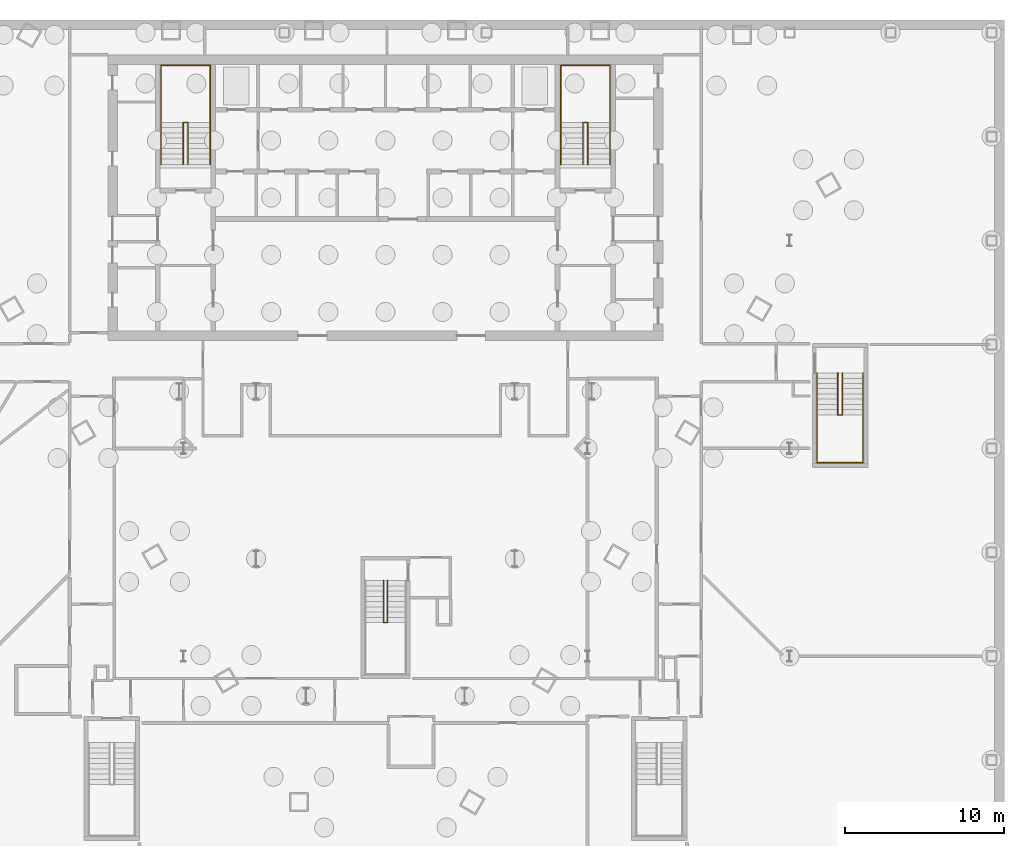
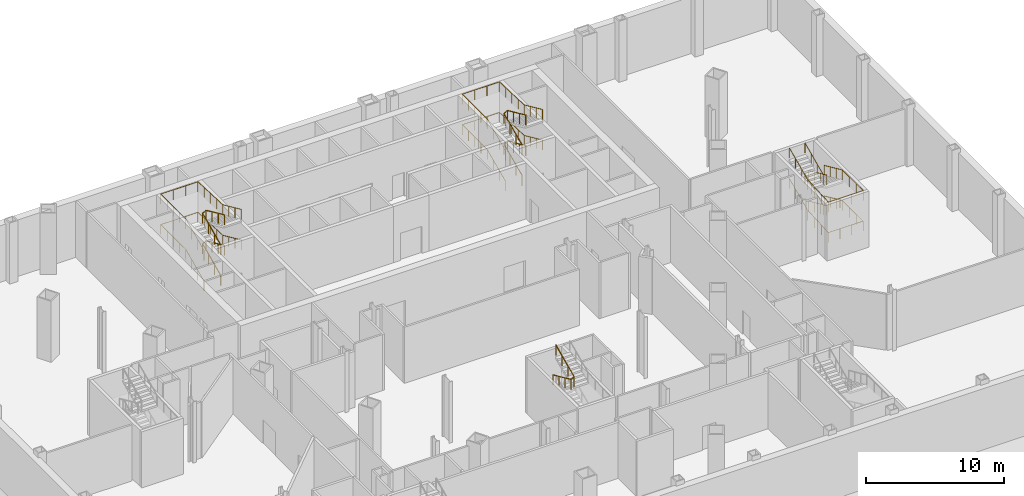
# One storey, part 18 of 19: 13 railings.
"""IFC4 building model written with IfcOpenShell, lengths in metres."""

from ifc_helpers import new_model, si_unit, direction, frame, origin, origin_2d, place, context, subcontext, project, spatial, circle, extrude, material, type_object, element, save


model = new_model("IFC4")

# Units and contexts
model_context = context("Model", 3, precision=1e-05, world=origin(), true_north=direction((0.0, 1.0)))
body_context = subcontext(model_context, "Body", "Model", "MODEL_VIEW")
ifc_project = project(units=[si_unit("LENGTHUNIT", "METRE"), si_unit("AREAUNIT", "SQUARE_METRE"), si_unit("VOLUMEUNIT", "CUBIC_METRE"), si_unit("PLANEANGLEUNIT", "RADIAN"), si_unit("MASSUNIT", "GRAM", prefix="KILO")], contexts=[model_context])

# Site, building, storey
site_placement = place(None, origin())
site = spatial("IfcSite", under=ifc_project, at=site_placement, CompositionType="ELEMENT")
building_placement = place(site_placement, origin())
building = spatial("IfcBuilding", under=site, at=building_placement, Name="Njiva Tower", CompositionType="ELEMENT")
storey_placement = place(building_placement, frame((0.0, 0.0, -16.8)))
storey = spatial("IfcBuildingStorey", under=building, at=storey_placement, Name="B3", CompositionType="ELEMENT", Elevation=-16.8)

# Railings
ifc_material = material(Name="Stainless steel", Category="steel")
railing_type = type_object("IfcRailingType", Name="RL1 Stair handrail 900", PredefinedType="HANDRAIL", material=ifc_material)
railing_1_placement = place(storey_placement, frame((-14.15, 11.1, 0.15)))
element("IfcRailing", 1, at=railing_1_placement, inside=storey, type_object=railing_type, Name="Stair A handrail", PredefinedType="HANDRAIL", context=body_context, shape_type="SweptSolid", body=[
    extrude(circle(Radius=0.024, at=origin_2d()), frame((0.0, 0.0, 0.876), z_axis=(0.0, 0.910366477463, 0.413802944301), x_axis=(-1.0, 0.0, 0.0)), (0.0, 0.0, 1.0), 2.8999),
    extrude(circle(Radius=0.024, at=origin_2d()), frame((0.0, 2.64, 2.076), z_axis=(0.0, 1.0, 0.0), x_axis=(-1.0, 0.0, 0.0)), (0.0, 0.0, 1.0), 3.61),
    extrude(circle(Radius=0.024, at=origin_2d()), frame((0.0, 6.25, 2.076), z_axis=(1.0, 0.0, 0.0), x_axis=(0.0, 1.0, 0.0)), (0.0, 0.0, 1.0), 3.1),
    extrude(circle(Radius=0.024, at=origin_2d()), frame((3.1, 6.25, 2.076), z_axis=(0.0, -0.999137863158, 0.041515423677), x_axis=(1.0, 0.0, 0.0)), (0.0, 0.0, 1.0), 3.6131),
    extrude(circle(Radius=0.024, at=origin_2d()), frame((3.1, 2.64, 2.226), z_axis=(0.0, -0.910366477463, 0.413802944301), x_axis=(1.0, 0.0, 0.0)), (0.0, 0.0, 1.0), 2.8999),
    extrude(circle(Radius=0.021, at=origin_2d()), origin(), (0.0, 0.0, 1.0), 0.852),
    extrude(circle(Radius=0.021, at=origin_2d()), frame((0.0, 0.88, 0.4)), (0.0, 0.0, 1.0), 0.852),
    extrude(circle(Radius=0.021, at=origin_2d()), frame((0.0, 1.76, 0.8)), (0.0, 0.0, 1.0), 0.852),
    extrude(circle(Radius=0.021, at=origin_2d()), frame((0.0, 2.64, 1.2)), (0.0, 0.0, 1.0), 0.852),
    extrude(circle(Radius=0.021, at=origin_2d()), frame((0.0, 3.5425, 1.2)), (0.0, 0.0, 1.0), 0.852),
    extrude(circle(Radius=0.021, at=origin_2d()), frame((0.0, 4.445, 1.2)), (0.0, 0.0, 1.0), 0.852),
    extrude(circle(Radius=0.021, at=origin_2d()), frame((0.0, 5.3475, 1.2)), (0.0, 0.0, 1.0), 0.852),
    extrude(circle(Radius=0.021, at=origin_2d()), frame((0.0, 6.25, 1.2)), (0.0, 0.0, 1.0), 0.852),
    extrude(circle(Radius=0.021, at=origin_2d()), frame((1.0333, 6.25, 1.2)), (0.0, 0.0, 1.0), 0.852),
    extrude(circle(Radius=0.021, at=origin_2d()), frame((2.0667, 6.25, 1.2)), (0.0, 0.0, 1.0), 0.852),
    extrude(circle(Radius=0.021, at=origin_2d()), frame((3.1, 6.25, 1.2)), (0.0, 0.0, 1.0), 0.852),
    extrude(circle(Radius=0.021, at=origin_2d()), frame((3.1, 5.3475, 1.2375)), (0.0, 0.0, 1.0), 0.852),
    extrude(circle(Radius=0.021, at=origin_2d()), frame((3.1, 4.445, 1.275)), (0.0, 0.0, 1.0), 0.852),
    extrude(circle(Radius=0.021, at=origin_2d()), frame((3.1, 3.5425, 1.3125)), (0.0, 0.0, 1.0), 0.852),
    extrude(circle(Radius=0.021, at=origin_2d()), frame((3.1, 2.64, 1.35)), (0.0, 0.0, 1.0), 0.852),
    extrude(circle(Radius=0.021, at=origin_2d()), frame((3.1, 1.76, 1.75)), (0.0, 0.0, 1.0), 0.852),
    extrude(circle(Radius=0.021, at=origin_2d()), frame((3.1, 0.88, 2.15)), (0.0, 0.0, 1.0), 0.852),
    extrude(circle(Radius=0.021, at=origin_2d()), frame((3.1, 0.0, 2.55)), (0.0, 0.0, 1.0), 0.852),
])
railing_2_placement = place(storey_placement, frame((-12.75, 11.1, 0.15)))
element("IfcRailing", 2, at=railing_2_placement, inside=storey, type_object=railing_type, Name="Stair A handrail", PredefinedType="HANDRAIL", context=body_context, shape_type="SweptSolid", body=[
    extrude(circle(Radius=0.024, at=origin_2d()), frame((0.0, 0.0, 0.876), z_axis=(0.0, 0.910366477463, 0.413802944301), x_axis=(-1.0, 0.0, 0.0)), (0.0, 0.0, 1.0), 2.8999),
    extrude(circle(Radius=0.024, at=origin_2d()), frame((0.0, 2.64, 2.076), z_axis=(0.894427191, 0.0, 0.4472135955), x_axis=(0.0, 1.0, 0.0)), (0.0, 0.0, 1.0), 0.3354),
    extrude(circle(Radius=0.024, at=origin_2d()), frame((0.3, 2.64, 2.226), z_axis=(0.0, -0.910366477463, 0.413802944301), x_axis=(1.0, 0.0, 0.0)), (0.0, 0.0, 1.0), 2.8999),
    extrude(circle(Radius=0.021, at=origin_2d()), origin(), (0.0, 0.0, 1.0), 0.852),
    extrude(circle(Radius=0.021, at=origin_2d()), frame((0.0, 0.88, 0.4)), (0.0, 0.0, 1.0), 0.852),
    extrude(circle(Radius=0.021, at=origin_2d()), frame((0.0, 1.76, 0.8)), (0.0, 0.0, 1.0), 0.852),
    extrude(circle(Radius=0.021, at=origin_2d()), frame((0.0, 2.64, 1.2)), (0.0, 0.0, 1.0), 0.852),
    extrude(circle(Radius=0.021, at=origin_2d()), frame((0.3, 2.64, 1.35)), (0.0, 0.0, 1.0), 0.852),
    extrude(circle(Radius=0.021, at=origin_2d()), frame((0.3, 1.76, 1.75)), (0.0, 0.0, 1.0), 0.852),
    extrude(circle(Radius=0.021, at=origin_2d()), frame((0.3, 0.88, 2.15)), (0.0, 0.0, 1.0), 0.852),
    extrude(circle(Radius=0.021, at=origin_2d()), frame((0.3, 0.0, 2.55)), (0.0, 0.0, 1.0), 0.852),
])
railing_3_placement = place(storey_placement, frame((-14.15, 11.1, 2.85)))
element("IfcRailing", 3, at=railing_3_placement, inside=storey, type_object=railing_type, Name="Stair A handrail", PredefinedType="HANDRAIL", context=body_context, shape_type="SweptSolid", body=[
    extrude(circle(Radius=0.024, at=origin_2d()), frame((0.0, 0.0, 0.876), z_axis=(0.0, 0.910366477463, 0.413802944301), x_axis=(-1.0, 0.0, 0.0)), (0.0, 0.0, 1.0), 2.8999),
    extrude(circle(Radius=0.024, at=origin_2d()), frame((0.0, 2.64, 2.076), z_axis=(0.0, 1.0, 0.0), x_axis=(-1.0, 0.0, 0.0)), (0.0, 0.0, 1.0), 3.61),
    extrude(circle(Radius=0.024, at=origin_2d()), frame((0.0, 6.25, 2.076), z_axis=(1.0, 0.0, 0.0), x_axis=(0.0, 1.0, 0.0)), (0.0, 0.0, 1.0), 3.1),
    extrude(circle(Radius=0.024, at=origin_2d()), frame((3.1, 6.25, 2.076), z_axis=(0.0, -0.999137863158, 0.041515423677), x_axis=(1.0, 0.0, 0.0)), (0.0, 0.0, 1.0), 3.6131),
    extrude(circle(Radius=0.024, at=origin_2d()), frame((3.1, 2.64, 2.226), z_axis=(0.0, -0.910366477463, 0.413802944301), x_axis=(1.0, 0.0, 0.0)), (0.0, 0.0, 1.0), 2.8999),
    extrude(circle(Radius=0.021, at=origin_2d()), origin(), (0.0, 0.0, 1.0), 0.852),
    extrude(circle(Radius=0.021, at=origin_2d()), frame((0.0, 0.88, 0.4)), (0.0, 0.0, 1.0), 0.852),
    extrude(circle(Radius=0.021, at=origin_2d()), frame((0.0, 1.76, 0.8)), (0.0, 0.0, 1.0), 0.852),
    extrude(circle(Radius=0.021, at=origin_2d()), frame((0.0, 2.64, 1.2)), (0.0, 0.0, 1.0), 0.852),
    extrude(circle(Radius=0.021, at=origin_2d()), frame((0.0, 3.5425, 1.2)), (0.0, 0.0, 1.0), 0.852),
    extrude(circle(Radius=0.021, at=origin_2d()), frame((0.0, 4.445, 1.2)), (0.0, 0.0, 1.0), 0.852),
    extrude(circle(Radius=0.021, at=origin_2d()), frame((0.0, 5.3475, 1.2)), (0.0, 0.0, 1.0), 0.852),
    extrude(circle(Radius=0.021, at=origin_2d()), frame((0.0, 6.25, 1.2)), (0.0, 0.0, 1.0), 0.852),
    extrude(circle(Radius=0.021, at=origin_2d()), frame((1.0333, 6.25, 1.2)), (0.0, 0.0, 1.0), 0.852),
    extrude(circle(Radius=0.021, at=origin_2d()), frame((2.0667, 6.25, 1.2)), (0.0, 0.0, 1.0), 0.852),
    extrude(circle(Radius=0.021, at=origin_2d()), frame((3.1, 6.25, 1.2)), (0.0, 0.0, 1.0), 0.852),
    extrude(circle(Radius=0.021, at=origin_2d()), frame((3.1, 5.3475, 1.2375)), (0.0, 0.0, 1.0), 0.852),
    extrude(circle(Radius=0.021, at=origin_2d()), frame((3.1, 4.445, 1.275)), (0.0, 0.0, 1.0), 0.852),
    extrude(circle(Radius=0.021, at=origin_2d()), frame((3.1, 3.5425, 1.3125)), (0.0, 0.0, 1.0), 0.852),
    extrude(circle(Radius=0.021, at=origin_2d()), frame((3.1, 2.64, 1.35)), (0.0, 0.0, 1.0), 0.852),
    extrude(circle(Radius=0.021, at=origin_2d()), frame((3.1, 1.76, 1.75)), (0.0, 0.0, 1.0), 0.852),
    extrude(circle(Radius=0.021, at=origin_2d()), frame((3.1, 0.88, 2.15)), (0.0, 0.0, 1.0), 0.852),
    extrude(circle(Radius=0.021, at=origin_2d()), frame((3.1, 0.0, 2.55)), (0.0, 0.0, 1.0), 0.852),
])
railing_4_placement = place(storey_placement, frame((-12.75, 11.1, 2.85)))
element("IfcRailing", 4, at=railing_4_placement, inside=storey, type_object=railing_type, Name="Stair A handrail", PredefinedType="HANDRAIL", context=body_context, shape_type="SweptSolid", body=[
    extrude(circle(Radius=0.024, at=origin_2d()), frame((0.0, 0.0, 0.876), z_axis=(0.0, 0.910366477463, 0.413802944301), x_axis=(-1.0, 0.0, 0.0)), (0.0, 0.0, 1.0), 2.8999),
    extrude(circle(Radius=0.024, at=origin_2d()), frame((0.0, 2.64, 2.076), z_axis=(0.894427191, 0.0, 0.4472135955), x_axis=(0.0, 1.0, 0.0)), (0.0, 0.0, 1.0), 0.3354),
    extrude(circle(Radius=0.024, at=origin_2d()), frame((0.3, 2.64, 2.226), z_axis=(0.0, -0.910366477463, 0.413802944301), x_axis=(1.0, 0.0, 0.0)), (0.0, 0.0, 1.0), 2.8999),
    extrude(circle(Radius=0.021, at=origin_2d()), origin(), (0.0, 0.0, 1.0), 0.852),
    extrude(circle(Radius=0.021, at=origin_2d()), frame((0.0, 0.88, 0.4)), (0.0, 0.0, 1.0), 0.852),
    extrude(circle(Radius=0.021, at=origin_2d()), frame((0.0, 1.76, 0.8)), (0.0, 0.0, 1.0), 0.852),
    extrude(circle(Radius=0.021, at=origin_2d()), frame((0.0, 2.64, 1.2)), (0.0, 0.0, 1.0), 0.852),
    extrude(circle(Radius=0.021, at=origin_2d()), frame((0.3, 2.64, 1.35)), (0.0, 0.0, 1.0), 0.852),
    extrude(circle(Radius=0.021, at=origin_2d()), frame((0.3, 1.76, 1.75)), (0.0, 0.0, 1.0), 0.852),
    extrude(circle(Radius=0.021, at=origin_2d()), frame((0.3, 0.88, 2.15)), (0.0, 0.0, 1.0), 0.852),
    extrude(circle(Radius=0.021, at=origin_2d()), frame((0.3, 0.0, 2.55)), (0.0, 0.0, 1.0), 0.852),
])
railing_5_placement = place(storey_placement, frame((11.05, 11.1, 0.15)))
element("IfcRailing", 5, at=railing_5_placement, inside=storey, type_object=railing_type, Name="Stair B handrail", PredefinedType="HANDRAIL", context=body_context, shape_type="SweptSolid", body=[
    extrude(circle(Radius=0.024, at=origin_2d()), frame((0.0, 0.0, 0.876), z_axis=(0.0, 0.910366477463, 0.413802944301), x_axis=(-1.0, 0.0, 0.0)), (0.0, 0.0, 1.0), 2.8999),
    extrude(circle(Radius=0.024, at=origin_2d()), frame((0.0, 2.64, 2.076), z_axis=(0.0, 1.0, 0.0), x_axis=(-1.0, 0.0, 0.0)), (0.0, 0.0, 1.0), 3.61),
    extrude(circle(Radius=0.024, at=origin_2d()), frame((0.0, 6.25, 2.076), z_axis=(1.0, 0.0, 0.0), x_axis=(0.0, 1.0, 0.0)), (0.0, 0.0, 1.0), 3.1),
    extrude(circle(Radius=0.024, at=origin_2d()), frame((3.1, 6.25, 2.076), z_axis=(0.0, -0.999137863158, 0.041515423677), x_axis=(1.0, 0.0, 0.0)), (0.0, 0.0, 1.0), 3.6131),
    extrude(circle(Radius=0.024, at=origin_2d()), frame((3.1, 2.64, 2.226), z_axis=(0.0, -0.910366477463, 0.413802944301), x_axis=(1.0, 0.0, 0.0)), (0.0, 0.0, 1.0), 2.8999),
    extrude(circle(Radius=0.021, at=origin_2d()), origin(), (0.0, 0.0, 1.0), 0.852),
    extrude(circle(Radius=0.021, at=origin_2d()), frame((0.0, 0.88, 0.4)), (0.0, 0.0, 1.0), 0.852),
    extrude(circle(Radius=0.021, at=origin_2d()), frame((0.0, 1.76, 0.8)), (0.0, 0.0, 1.0), 0.852),
    extrude(circle(Radius=0.021, at=origin_2d()), frame((0.0, 2.64, 1.2)), (0.0, 0.0, 1.0), 0.852),
    extrude(circle(Radius=0.021, at=origin_2d()), frame((0.0, 3.5425, 1.2)), (0.0, 0.0, 1.0), 0.852),
    extrude(circle(Radius=0.021, at=origin_2d()), frame((0.0, 4.445, 1.2)), (0.0, 0.0, 1.0), 0.852),
    extrude(circle(Radius=0.021, at=origin_2d()), frame((0.0, 5.3475, 1.2)), (0.0, 0.0, 1.0), 0.852),
    extrude(circle(Radius=0.021, at=origin_2d()), frame((0.0, 6.25, 1.2)), (0.0, 0.0, 1.0), 0.852),
    extrude(circle(Radius=0.021, at=origin_2d()), frame((1.0333, 6.25, 1.2)), (0.0, 0.0, 1.0), 0.852),
    extrude(circle(Radius=0.021, at=origin_2d()), frame((2.0667, 6.25, 1.2)), (0.0, 0.0, 1.0), 0.852),
    extrude(circle(Radius=0.021, at=origin_2d()), frame((3.1, 6.25, 1.2)), (0.0, 0.0, 1.0), 0.852),
    extrude(circle(Radius=0.021, at=origin_2d()), frame((3.1, 5.3475, 1.2375)), (0.0, 0.0, 1.0), 0.852),
    extrude(circle(Radius=0.021, at=origin_2d()), frame((3.1, 4.445, 1.275)), (0.0, 0.0, 1.0), 0.852),
    extrude(circle(Radius=0.021, at=origin_2d()), frame((3.1, 3.5425, 1.3125)), (0.0, 0.0, 1.0), 0.852),
    extrude(circle(Radius=0.021, at=origin_2d()), frame((3.1, 2.64, 1.35)), (0.0, 0.0, 1.0), 0.852),
    extrude(circle(Radius=0.021, at=origin_2d()), frame((3.1, 1.76, 1.75)), (0.0, 0.0, 1.0), 0.852),
    extrude(circle(Radius=0.021, at=origin_2d()), frame((3.1, 0.88, 2.15)), (0.0, 0.0, 1.0), 0.852),
    extrude(circle(Radius=0.021, at=origin_2d()), frame((3.1, 0.0, 2.55)), (0.0, 0.0, 1.0), 0.852),
])
railing_6_placement = place(storey_placement, frame((12.45, 11.1, 0.15)))
element("IfcRailing", 6, at=railing_6_placement, inside=storey, type_object=railing_type, Name="Stair B handrail", PredefinedType="HANDRAIL", context=body_context, shape_type="SweptSolid", body=[
    extrude(circle(Radius=0.024, at=origin_2d()), frame((0.0, 0.0, 0.876), z_axis=(0.0, 0.910366477463, 0.413802944301), x_axis=(-1.0, 0.0, 0.0)), (0.0, 0.0, 1.0), 2.8999),
    extrude(circle(Radius=0.024, at=origin_2d()), frame((0.0, 2.64, 2.076), z_axis=(0.894427191, 0.0, 0.4472135955), x_axis=(0.0, 1.0, 0.0)), (0.0, 0.0, 1.0), 0.3354),
    extrude(circle(Radius=0.024, at=origin_2d()), frame((0.3, 2.64, 2.226), z_axis=(0.0, -0.910366477463, 0.413802944301), x_axis=(1.0, 0.0, 0.0)), (0.0, 0.0, 1.0), 2.8999),
    extrude(circle(Radius=0.021, at=origin_2d()), origin(), (0.0, 0.0, 1.0), 0.852),
    extrude(circle(Radius=0.021, at=origin_2d()), frame((0.0, 0.88, 0.4)), (0.0, 0.0, 1.0), 0.852),
    extrude(circle(Radius=0.021, at=origin_2d()), frame((0.0, 1.76, 0.8)), (0.0, 0.0, 1.0), 0.852),
    extrude(circle(Radius=0.021, at=origin_2d()), frame((0.0, 2.64, 1.2)), (0.0, 0.0, 1.0), 0.852),
    extrude(circle(Radius=0.021, at=origin_2d()), frame((0.3, 2.64, 1.35)), (0.0, 0.0, 1.0), 0.852),
    extrude(circle(Radius=0.021, at=origin_2d()), frame((0.3, 1.76, 1.75)), (0.0, 0.0, 1.0), 0.852),
    extrude(circle(Radius=0.021, at=origin_2d()), frame((0.3, 0.88, 2.15)), (0.0, 0.0, 1.0), 0.852),
    extrude(circle(Radius=0.021, at=origin_2d()), frame((0.3, 0.0, 2.55)), (0.0, 0.0, 1.0), 0.852),
])
railing_7_placement = place(storey_placement, frame((11.05, 11.1, 2.85)))
element("IfcRailing", 7, at=railing_7_placement, inside=storey, type_object=railing_type, Name="Stair B handrail", PredefinedType="HANDRAIL", context=body_context, shape_type="SweptSolid", body=[
    extrude(circle(Radius=0.024, at=origin_2d()), frame((0.0, 0.0, 0.876), z_axis=(0.0, 0.910366477463, 0.413802944301), x_axis=(-1.0, 0.0, 0.0)), (0.0, 0.0, 1.0), 2.8999),
    extrude(circle(Radius=0.024, at=origin_2d()), frame((0.0, 2.64, 2.076), z_axis=(0.0, 1.0, 0.0), x_axis=(-1.0, 0.0, 0.0)), (0.0, 0.0, 1.0), 3.61),
    extrude(circle(Radius=0.024, at=origin_2d()), frame((0.0, 6.25, 2.076), z_axis=(1.0, 0.0, 0.0), x_axis=(0.0, 1.0, 0.0)), (0.0, 0.0, 1.0), 3.1),
    extrude(circle(Radius=0.024, at=origin_2d()), frame((3.1, 6.25, 2.076), z_axis=(0.0, -0.999137863158, 0.041515423677), x_axis=(1.0, 0.0, 0.0)), (0.0, 0.0, 1.0), 3.6131),
    extrude(circle(Radius=0.024, at=origin_2d()), frame((3.1, 2.64, 2.226), z_axis=(0.0, -0.910366477463, 0.413802944301), x_axis=(1.0, 0.0, 0.0)), (0.0, 0.0, 1.0), 2.8999),
    extrude(circle(Radius=0.021, at=origin_2d()), origin(), (0.0, 0.0, 1.0), 0.852),
    extrude(circle(Radius=0.021, at=origin_2d()), frame((0.0, 0.88, 0.4)), (0.0, 0.0, 1.0), 0.852),
    extrude(circle(Radius=0.021, at=origin_2d()), frame((0.0, 1.76, 0.8)), (0.0, 0.0, 1.0), 0.852),
    extrude(circle(Radius=0.021, at=origin_2d()), frame((0.0, 2.64, 1.2)), (0.0, 0.0, 1.0), 0.852),
    extrude(circle(Radius=0.021, at=origin_2d()), frame((0.0, 3.5425, 1.2)), (0.0, 0.0, 1.0), 0.852),
    extrude(circle(Radius=0.021, at=origin_2d()), frame((0.0, 4.445, 1.2)), (0.0, 0.0, 1.0), 0.852),
    extrude(circle(Radius=0.021, at=origin_2d()), frame((0.0, 5.3475, 1.2)), (0.0, 0.0, 1.0), 0.852),
    extrude(circle(Radius=0.021, at=origin_2d()), frame((0.0, 6.25, 1.2)), (0.0, 0.0, 1.0), 0.852),
    extrude(circle(Radius=0.021, at=origin_2d()), frame((1.0333, 6.25, 1.2)), (0.0, 0.0, 1.0), 0.852),
    extrude(circle(Radius=0.021, at=origin_2d()), frame((2.0667, 6.25, 1.2)), (0.0, 0.0, 1.0), 0.852),
    extrude(circle(Radius=0.021, at=origin_2d()), frame((3.1, 6.25, 1.2)), (0.0, 0.0, 1.0), 0.852),
    extrude(circle(Radius=0.021, at=origin_2d()), frame((3.1, 5.3475, 1.2375)), (0.0, 0.0, 1.0), 0.852),
    extrude(circle(Radius=0.021, at=origin_2d()), frame((3.1, 4.445, 1.275)), (0.0, 0.0, 1.0), 0.852),
    extrude(circle(Radius=0.021, at=origin_2d()), frame((3.1, 3.5425, 1.3125)), (0.0, 0.0, 1.0), 0.852),
    extrude(circle(Radius=0.021, at=origin_2d()), frame((3.1, 2.64, 1.35)), (0.0, 0.0, 1.0), 0.852),
    extrude(circle(Radius=0.021, at=origin_2d()), frame((3.1, 1.76, 1.75)), (0.0, 0.0, 1.0), 0.852),
    extrude(circle(Radius=0.021, at=origin_2d()), frame((3.1, 0.88, 2.15)), (0.0, 0.0, 1.0), 0.852),
    extrude(circle(Radius=0.021, at=origin_2d()), frame((3.1, 0.0, 2.55)), (0.0, 0.0, 1.0), 0.852),
])
railing_8_placement = place(storey_placement, frame((12.45, 11.1, 2.85)))
element("IfcRailing", 8, at=railing_8_placement, inside=storey, type_object=railing_type, Name="Stair B handrail", PredefinedType="HANDRAIL", context=body_context, shape_type="SweptSolid", body=[
    extrude(circle(Radius=0.024, at=origin_2d()), frame((0.0, 0.0, 0.876), z_axis=(0.0, 0.910366477463, 0.413802944301), x_axis=(-1.0, 0.0, 0.0)), (0.0, 0.0, 1.0), 2.8999),
    extrude(circle(Radius=0.024, at=origin_2d()), frame((0.0, 2.64, 2.076), z_axis=(0.894427191, 0.0, 0.4472135955), x_axis=(0.0, 1.0, 0.0)), (0.0, 0.0, 1.0), 0.3354),
    extrude(circle(Radius=0.024, at=origin_2d()), frame((0.3, 2.64, 2.226), z_axis=(0.0, -0.910366477463, 0.413802944301), x_axis=(1.0, 0.0, 0.0)), (0.0, 0.0, 1.0), 2.8999),
    extrude(circle(Radius=0.021, at=origin_2d()), origin(), (0.0, 0.0, 1.0), 0.852),
    extrude(circle(Radius=0.021, at=origin_2d()), frame((0.0, 0.88, 0.4)), (0.0, 0.0, 1.0), 0.852),
    extrude(circle(Radius=0.021, at=origin_2d()), frame((0.0, 1.76, 0.8)), (0.0, 0.0, 1.0), 0.852),
    extrude(circle(Radius=0.021, at=origin_2d()), frame((0.0, 2.64, 1.2)), (0.0, 0.0, 1.0), 0.852),
    extrude(circle(Radius=0.021, at=origin_2d()), frame((0.3, 2.64, 1.35)), (0.0, 0.0, 1.0), 0.852),
    extrude(circle(Radius=0.021, at=origin_2d()), frame((0.3, 1.76, 1.75)), (0.0, 0.0, 1.0), 0.852),
    extrude(circle(Radius=0.021, at=origin_2d()), frame((0.3, 0.88, 2.15)), (0.0, 0.0, 1.0), 0.852),
    extrude(circle(Radius=0.021, at=origin_2d()), frame((0.3, 0.0, 2.55)), (0.0, 0.0, 1.0), 0.852),
])
railing_9_placement = place(storey_placement, frame((-0.125, -15.135, 2.85)))
element("IfcRailing", 9, at=railing_9_placement, inside=storey, type_object=railing_type, Name="Stair C handrail", PredefinedType="HANDRAIL", context=body_context, shape_type="SweptSolid", body=[
    extrude(circle(Radius=0.024, at=origin_2d()), frame((0.0, 0.0, 0.876), z_axis=(0.0, -0.910366477463, 0.413802944301), x_axis=(1.0, 0.0, 0.0)), (0.0, 0.0, 1.0), 2.8999),
    extrude(circle(Radius=0.024, at=origin_2d()), frame((0.0, -2.64, 2.076), z_axis=(0.857492925713, 0.0, 0.514495755428), x_axis=(0.0, 1.0, 0.0)), (0.0, 0.0, 1.0), 0.2915),
    extrude(circle(Radius=0.024, at=origin_2d()), frame((0.25, -2.64, 2.226), z_axis=(0.0, 0.910366477463, 0.413802944301), x_axis=(-1.0, 0.0, 0.0)), (0.0, 0.0, 1.0), 2.8999),
    extrude(circle(Radius=0.021, at=origin_2d()), origin(), (0.0, 0.0, 1.0), 0.852),
    extrude(circle(Radius=0.021, at=origin_2d()), frame((0.0, -0.88, 0.4)), (0.0, 0.0, 1.0), 0.852),
    extrude(circle(Radius=0.021, at=origin_2d()), frame((0.0, -1.76, 0.8)), (0.0, 0.0, 1.0), 0.852),
    extrude(circle(Radius=0.021, at=origin_2d()), frame((0.0, -2.64, 1.2)), (0.0, 0.0, 1.0), 0.852),
    extrude(circle(Radius=0.021, at=origin_2d()), frame((0.25, -2.64, 1.35)), (0.0, 0.0, 1.0), 0.852),
    extrude(circle(Radius=0.021, at=origin_2d()), frame((0.25, -1.76, 1.75)), (0.0, 0.0, 1.0), 0.852),
    extrude(circle(Radius=0.021, at=origin_2d()), frame((0.25, -0.88, 2.15)), (0.0, 0.0, 1.0), 0.852),
    extrude(circle(Radius=0.021, at=origin_2d()), frame((0.25, 0.0, 2.55)), (0.0, 0.0, 1.0), 0.852),
])
railing_10_placement = place(storey_placement, frame((30.1, -2.05, 0.15)))
element("IfcRailing", 10, at=railing_10_placement, inside=storey, type_object=railing_type, Name="Stair G handrail", PredefinedType="HANDRAIL", context=body_context, shape_type="SweptSolid", body=[
    extrude(circle(Radius=0.024, at=origin_2d()), frame((0.0, 0.0, 0.876), z_axis=(0.0, -0.910366477463, 0.413802944301), x_axis=(1.0, 0.0, 0.0)), (0.0, 0.0, 1.0), 2.8999),
    extrude(circle(Radius=0.024, at=origin_2d()), frame((0.0, -2.64, 2.076), z_axis=(0.0, -1.0, 0.0), x_axis=(1.0, 0.0, 0.0)), (0.0, 0.0, 1.0), 3.01),
    extrude(circle(Radius=0.024, at=origin_2d()), frame((0.0, -5.65, 2.076), z_axis=(-1.0, 0.0, 0.0), x_axis=(0.0, -1.0, 0.0)), (0.0, 0.0, 1.0), 2.9),
    extrude(circle(Radius=0.024, at=origin_2d()), frame((-2.9, -5.65, 2.076), z_axis=(0.0, 0.998760599834, 0.049772122915), x_axis=(-1.0, 0.0, 0.0)), (0.0, 0.0, 1.0), 3.0137),
    extrude(circle(Radius=0.024, at=origin_2d()), frame((-2.9, -2.64, 2.226), z_axis=(0.0, 0.910366477463, 0.413802944301), x_axis=(-1.0, 0.0, 0.0)), (0.0, 0.0, 1.0), 2.8999),
    extrude(circle(Radius=0.021, at=origin_2d()), origin(), (0.0, 0.0, 1.0), 0.852),
    extrude(circle(Radius=0.021, at=origin_2d()), frame((0.0, -0.88, 0.4)), (0.0, 0.0, 1.0), 0.852),
    extrude(circle(Radius=0.021, at=origin_2d()), frame((0.0, -1.76, 0.8)), (0.0, 0.0, 1.0), 0.852),
    extrude(circle(Radius=0.021, at=origin_2d()), frame((0.0, -2.64, 1.2)), (0.0, 0.0, 1.0), 0.852),
    extrude(circle(Radius=0.021, at=origin_2d()), frame((0.0, -3.6433, 1.2)), (0.0, 0.0, 1.0), 0.852),
    extrude(circle(Radius=0.021, at=origin_2d()), frame((0.0, -4.6467, 1.2)), (0.0, 0.0, 1.0), 0.852),
    extrude(circle(Radius=0.021, at=origin_2d()), frame((0.0, -5.65, 1.2)), (0.0, 0.0, 1.0), 0.852),
    extrude(circle(Radius=0.021, at=origin_2d()), frame((-0.9667, -5.65, 1.2)), (0.0, 0.0, 1.0), 0.852),
    extrude(circle(Radius=0.021, at=origin_2d()), frame((-1.9333, -5.65, 1.2)), (0.0, 0.0, 1.0), 0.852),
    extrude(circle(Radius=0.021, at=origin_2d()), frame((-2.9, -5.65, 1.2)), (0.0, 0.0, 1.0), 0.852),
    extrude(circle(Radius=0.021, at=origin_2d()), frame((-2.9, -4.6467, 1.25)), (0.0, 0.0, 1.0), 0.852),
    extrude(circle(Radius=0.021, at=origin_2d()), frame((-2.9, -3.6433, 1.3)), (0.0, 0.0, 1.0), 0.852),
    extrude(circle(Radius=0.021, at=origin_2d()), frame((-2.9, -2.64, 1.35)), (0.0, 0.0, 1.0), 0.852),
    extrude(circle(Radius=0.021, at=origin_2d()), frame((-2.9, -1.76, 1.75)), (0.0, 0.0, 1.0), 0.852),
    extrude(circle(Radius=0.021, at=origin_2d()), frame((-2.9, -0.88, 2.15)), (0.0, 0.0, 1.0), 0.852),
    extrude(circle(Radius=0.021, at=origin_2d()), frame((-2.9, 0.0, 2.55)), (0.0, 0.0, 1.0), 0.852),
])
railing_11_placement = place(storey_placement, frame((28.8, -2.05, 0.15)))
element("IfcRailing", 11, at=railing_11_placement, inside=storey, type_object=railing_type, Name="Stair G handrail", PredefinedType="HANDRAIL", context=body_context, shape_type="SweptSolid", body=[
    extrude(circle(Radius=0.024, at=origin_2d()), frame((0.0, 0.0, 0.876), z_axis=(0.0, -0.910366477463, 0.413802944301), x_axis=(1.0, 0.0, 0.0)), (0.0, 0.0, 1.0), 2.8999),
    extrude(circle(Radius=0.024, at=origin_2d()), frame((0.0, -2.64, 2.076), z_axis=(-0.894427191, 0.0, 0.4472135955), x_axis=(0.0, -1.0, 0.0)), (0.0, 0.0, 1.0), 0.3354),
    extrude(circle(Radius=0.024, at=origin_2d()), frame((-0.3, -2.64, 2.226), z_axis=(0.0, 0.910366477463, 0.413802944301), x_axis=(-1.0, 0.0, 0.0)), (0.0, 0.0, 1.0), 2.8999),
    extrude(circle(Radius=0.021, at=origin_2d()), origin(), (0.0, 0.0, 1.0), 0.852),
    extrude(circle(Radius=0.021, at=origin_2d()), frame((0.0, -0.88, 0.4)), (0.0, 0.0, 1.0), 0.852),
    extrude(circle(Radius=0.021, at=origin_2d()), frame((0.0, -1.76, 0.8)), (0.0, 0.0, 1.0), 0.852),
    extrude(circle(Radius=0.021, at=origin_2d()), frame((0.0, -2.64, 1.2)), (0.0, 0.0, 1.0), 0.852),
    extrude(circle(Radius=0.021, at=origin_2d()), frame((-0.3, -2.64, 1.35)), (0.0, 0.0, 1.0), 0.852),
    extrude(circle(Radius=0.021, at=origin_2d()), frame((-0.3, -1.76, 1.75)), (0.0, 0.0, 1.0), 0.852),
    extrude(circle(Radius=0.021, at=origin_2d()), frame((-0.3, -0.88, 2.15)), (0.0, 0.0, 1.0), 0.852),
    extrude(circle(Radius=0.021, at=origin_2d()), frame((-0.3, 0.0, 2.55)), (0.0, 0.0, 1.0), 0.852),
])
railing_12_placement = place(storey_placement, frame((30.1, -2.05, 2.85)))
element("IfcRailing", 12, at=railing_12_placement, inside=storey, type_object=railing_type, Name="Stair G handrail", PredefinedType="HANDRAIL", context=body_context, shape_type="SweptSolid", body=[
    extrude(circle(Radius=0.024, at=origin_2d()), frame((0.0, 0.0, 0.876), z_axis=(0.0, -0.910366477463, 0.413802944301), x_axis=(1.0, 0.0, 0.0)), (0.0, 0.0, 1.0), 2.8999),
    extrude(circle(Radius=0.024, at=origin_2d()), frame((0.0, -2.64, 2.076), z_axis=(0.0, -1.0, 0.0), x_axis=(1.0, 0.0, 0.0)), (0.0, 0.0, 1.0), 3.01),
    extrude(circle(Radius=0.024, at=origin_2d()), frame((0.0, -5.65, 2.076), z_axis=(-1.0, 0.0, 0.0), x_axis=(0.0, -1.0, 0.0)), (0.0, 0.0, 1.0), 2.9),
    extrude(circle(Radius=0.024, at=origin_2d()), frame((-2.9, -5.65, 2.076), z_axis=(0.0, 0.998760599834, 0.049772122915), x_axis=(-1.0, 0.0, 0.0)), (0.0, 0.0, 1.0), 3.0137),
    extrude(circle(Radius=0.024, at=origin_2d()), frame((-2.9, -2.64, 2.226), z_axis=(0.0, 0.910366477463, 0.413802944301), x_axis=(-1.0, 0.0, 0.0)), (0.0, 0.0, 1.0), 2.8999),
    extrude(circle(Radius=0.021, at=origin_2d()), origin(), (0.0, 0.0, 1.0), 0.852),
    extrude(circle(Radius=0.021, at=origin_2d()), frame((0.0, -0.88, 0.4)), (0.0, 0.0, 1.0), 0.852),
    extrude(circle(Radius=0.021, at=origin_2d()), frame((0.0, -1.76, 0.8)), (0.0, 0.0, 1.0), 0.852),
    extrude(circle(Radius=0.021, at=origin_2d()), frame((0.0, -2.64, 1.2)), (0.0, 0.0, 1.0), 0.852),
    extrude(circle(Radius=0.021, at=origin_2d()), frame((0.0, -3.6433, 1.2)), (0.0, 0.0, 1.0), 0.852),
    extrude(circle(Radius=0.021, at=origin_2d()), frame((0.0, -4.6467, 1.2)), (0.0, 0.0, 1.0), 0.852),
    extrude(circle(Radius=0.021, at=origin_2d()), frame((0.0, -5.65, 1.2)), (0.0, 0.0, 1.0), 0.852),
    extrude(circle(Radius=0.021, at=origin_2d()), frame((-0.9667, -5.65, 1.2)), (0.0, 0.0, 1.0), 0.852),
    extrude(circle(Radius=0.021, at=origin_2d()), frame((-1.9333, -5.65, 1.2)), (0.0, 0.0, 1.0), 0.852),
    extrude(circle(Radius=0.021, at=origin_2d()), frame((-2.9, -5.65, 1.2)), (0.0, 0.0, 1.0), 0.852),
    extrude(circle(Radius=0.021, at=origin_2d()), frame((-2.9, -4.6467, 1.25)), (0.0, 0.0, 1.0), 0.852),
    extrude(circle(Radius=0.021, at=origin_2d()), frame((-2.9, -3.6433, 1.3)), (0.0, 0.0, 1.0), 0.852),
    extrude(circle(Radius=0.021, at=origin_2d()), frame((-2.9, -2.64, 1.35)), (0.0, 0.0, 1.0), 0.852),
    extrude(circle(Radius=0.021, at=origin_2d()), frame((-2.9, -1.76, 1.75)), (0.0, 0.0, 1.0), 0.852),
    extrude(circle(Radius=0.021, at=origin_2d()), frame((-2.9, -0.88, 2.15)), (0.0, 0.0, 1.0), 0.852),
    extrude(circle(Radius=0.021, at=origin_2d()), frame((-2.9, 0.0, 2.55)), (0.0, 0.0, 1.0), 0.852),
])
railing_13_placement = place(storey_placement, frame((28.8, -2.05, 2.85)))
element("IfcRailing", 13, at=railing_13_placement, inside=storey, type_object=railing_type, Name="Stair G handrail", PredefinedType="HANDRAIL", context=body_context, shape_type="SweptSolid", body=[
    extrude(circle(Radius=0.024, at=origin_2d()), frame((0.0, 0.0, 0.876), z_axis=(0.0, -0.910366477463, 0.413802944301), x_axis=(1.0, 0.0, 0.0)), (0.0, 0.0, 1.0), 2.8999),
    extrude(circle(Radius=0.024, at=origin_2d()), frame((0.0, -2.64, 2.076), z_axis=(-0.894427191, 0.0, 0.4472135955), x_axis=(0.0, -1.0, 0.0)), (0.0, 0.0, 1.0), 0.3354),
    extrude(circle(Radius=0.024, at=origin_2d()), frame((-0.3, -2.64, 2.226), z_axis=(0.0, 0.910366477463, 0.413802944301), x_axis=(-1.0, 0.0, 0.0)), (0.0, 0.0, 1.0), 2.8999),
    extrude(circle(Radius=0.021, at=origin_2d()), origin(), (0.0, 0.0, 1.0), 0.852),
    extrude(circle(Radius=0.021, at=origin_2d()), frame((0.0, -0.88, 0.4)), (0.0, 0.0, 1.0), 0.852),
    extrude(circle(Radius=0.021, at=origin_2d()), frame((0.0, -1.76, 0.8)), (0.0, 0.0, 1.0), 0.852),
    extrude(circle(Radius=0.021, at=origin_2d()), frame((0.0, -2.64, 1.2)), (0.0, 0.0, 1.0), 0.852),
    extrude(circle(Radius=0.021, at=origin_2d()), frame((-0.3, -2.64, 1.35)), (0.0, 0.0, 1.0), 0.852),
    extrude(circle(Radius=0.021, at=origin_2d()), frame((-0.3, -1.76, 1.75)), (0.0, 0.0, 1.0), 0.852),
    extrude(circle(Radius=0.021, at=origin_2d()), frame((-0.3, -0.88, 2.15)), (0.0, 0.0, 1.0), 0.852),
    extrude(circle(Radius=0.021, at=origin_2d()), frame((-0.3, 0.0, 2.55)), (0.0, 0.0, 1.0), 0.852),
])

save(model, "model.ifc")
